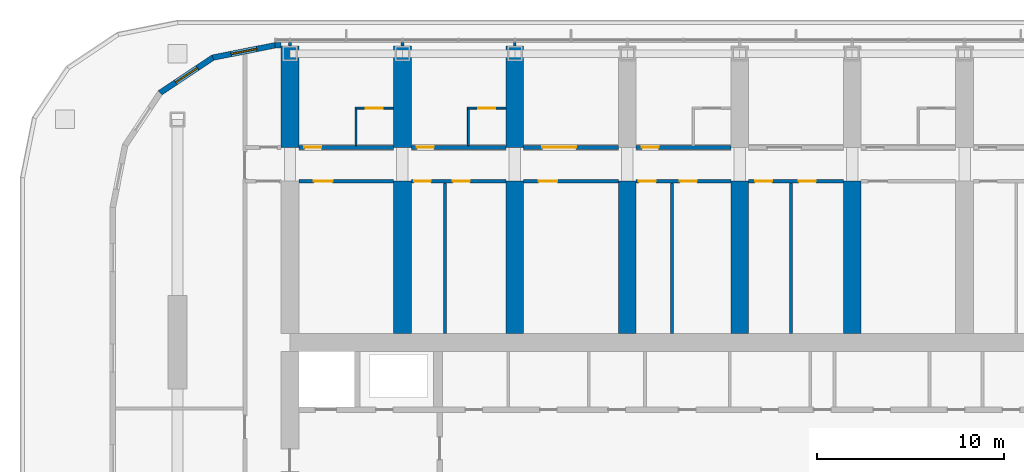
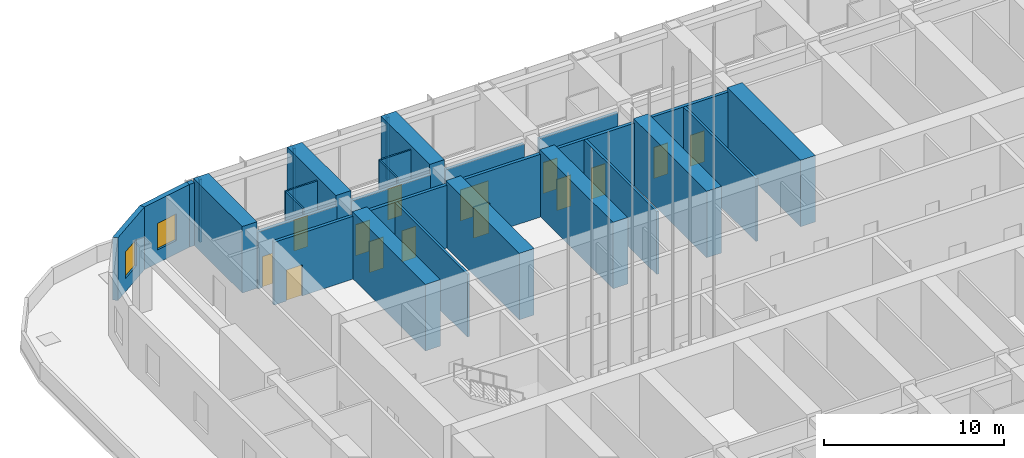
# One storey, part 15 of 32: 30 walls, 14 doors, 2 windows, 16 openings.
"""IFC4 building model written with IfcOpenShell, lengths in metres."""

from ifc_helpers import new_model, si_unit, direction, frame, frame_2d, origin, place, context, subcontext, project, spatial, polyline, rectangle, outline, extrude, material, layer, layer_set, type_object, element, fill, save


model = new_model("IFC4")

# Units and contexts
model_context = context("Model", 3, precision=1e-05, world=origin(), true_north=direction((0.0, 1.0)))
body_context = subcontext(model_context, "Body", "Model", "MODEL_VIEW")
ifc_project = project(units=[si_unit("LENGTHUNIT", "METRE"), si_unit("AREAUNIT", "SQUARE_METRE"), si_unit("VOLUMEUNIT", "CUBIC_METRE"), si_unit("PLANEANGLEUNIT", "RADIAN"), si_unit("MASSUNIT", "GRAM", prefix="KILO")], contexts=[model_context])

# Site, building, storey
site_placement = place(None, origin())
site = spatial("IfcSite", under=ifc_project, at=site_placement, CompositionType="ELEMENT")
building_placement = place(site_placement, origin())
building = spatial("IfcBuilding", under=site, at=building_placement, Name="Orbita Commons", CompositionType="ELEMENT")
storey_placement = place(building_placement, frame((0.0, 0.0, 140.35009765625)))
storey = spatial("IfcBuildingStorey", under=building, at=storey_placement, Name="L34", CompositionType="ELEMENT", Elevation=140.35009765625)

# Wall, opening, door
ifc_material_1 = material(Name="Concrete blockwork", Category="masonry")
ifc_layer_1 = layer(ifc_material_1, 0.199951171875)
ifc_layer_set_1 = layer_set([ifc_layer_1], Name="Concrete blockwork")
wall_type_1 = type_object("IfcWallType", Name="Corridor wall 200 blockwork", PredefinedType="SOLIDWALL", material=ifc_layer_set_1)
wall_1_placement = place(storey_placement, frame((18.47509765625, 48.60009765625, 0.0), z_axis=(0.0, 0.0, 1.0), x_axis=(1.0, 0.0, 0.0)))
wall_1 = element("IfcWall", 1, at=wall_1_placement, inside=storey, type_object=wall_type_1, Name="Corridor wall 200 blockwork L34", PredefinedType="SOLIDWALL", context=body_context, shape_type="SweptSolid", body=[
    extrude(outline(polyline([(0.0, 0.0), (5.0498046875, 0.0), (5.050048828125, 3.849853515625), (0.0, 3.849853515625), (0.0, 0.0)])), frame((0.0, 0.10009765625, 0.0), z_axis=(0.0, -1.0, 0.0), x_axis=(1.0, 0.0, 0.0)), (0.0, 0.0, 1.0), 0.199951171875),
])
opening_1_placement = place(wall_1_placement, frame((0.300048828125, 0.0, 0.0)))
opening_1 = element("IfcOpeningElement", 2, at=opening_1_placement, cuts=wall_1, Name="Opening D11", PredefinedType="OPENING", context=body_context, shape_type="SweptSolid", body=[
    extrude(rectangle(XDim=0.89990234375, YDim=2.10009765625, at=frame_2d((0.449951171875, 1.050048828125))), frame((0.0, 0.10986328125, 0.0), z_axis=(0.0, -1.0, 0.0), x_axis=(1.0, 0.0, 0.0)), (0.0, 0.0, 1.0), 0.219970703125),
])
ifc_material_2 = material(Name="Steel-faced fire door leaf", Category="steel")
door_type_1 = type_object("IfcDoorType", Name="Corridor door 20 min 900x2100", OperationType="SINGLE_SWING_LEFT", PredefinedType="DOOR", material=ifc_material_2)
door_1_placement = place(opening_1_placement, origin())
door_1 = element("IfcDoor", 3, at=door_1_placement, inside=storey, type_object=door_type_1, Name="Guest studio with kitchenette L34-NF1 door", OperationType="SINGLE_SWING_LEFT", OverallHeight=2.10009765625, OverallWidth=0.89990234375, PredefinedType="DOOR", context=body_context, shape_type="SweptSolid", body=[
    extrude(rectangle(XDim=0.89990234375, YDim=2.10009765625, at=frame_2d((0.449951171875, 1.050048828125))), frame((0.0, 0.02490234375, 0.0), z_axis=(0.0, -1.0, 0.0), x_axis=(1.0, 0.0, 0.0)), (0.0, 0.0, 1.0), 0.050048828125),
])
fill(opening_1, door_1)

wall_2_placement = place(storey_placement, frame((24.47509765625, 48.60009765625, 0.0), z_axis=(0.0, 0.0, 1.0), x_axis=(1.0, 0.0, 0.0)))
wall_2 = element("IfcWall", 4, at=wall_2_placement, inside=storey, type_object=wall_type_1, Name="Corridor wall 200 blockwork L34", PredefinedType="SOLIDWALL", context=body_context, shape_type="SweptSolid", body=[
    extrude(outline(polyline([(0.0, 0.0), (5.0498046875, 0.0), (5.050048828125, 3.849853515625), (0.0, 3.849853515625), (0.0, 0.0)])), frame((0.0, 0.10009765625, 0.0), z_axis=(0.0, -1.0, 0.0), x_axis=(1.0, 0.0, 0.0)), (0.0, 0.0, 1.0), 0.199951171875),
])
opening_2_placement = place(wall_2_placement, frame((0.300048828125, 0.0, 0.0)))
opening_2 = element("IfcOpeningElement", 5, at=opening_2_placement, cuts=wall_2, Name="Opening D11", PredefinedType="OPENING", context=body_context, shape_type="SweptSolid", body=[
    extrude(rectangle(XDim=0.89990234375, YDim=2.10009765625, at=frame_2d((0.449951171875, 1.050048828125))), frame((0.0, 0.10986328125, 0.0), z_axis=(0.0, -1.0, 0.0), x_axis=(1.0, 0.0, 0.0)), (0.0, 0.0, 1.0), 0.219970703125),
])
door_2_placement = place(opening_2_placement, origin())
door_2 = element("IfcDoor", 6, at=door_2_placement, inside=storey, type_object=door_type_1, Name="Guest studio with kitchenette L34-NF2 door", OperationType="SINGLE_SWING_LEFT", OverallHeight=2.10009765625, OverallWidth=0.89990234375, PredefinedType="DOOR", context=body_context, shape_type="SweptSolid", body=[
    extrude(rectangle(XDim=0.89990234375, YDim=2.10009765625, at=frame_2d((0.449951171875, 1.050048828125))), frame((0.0, 0.02490234375, 0.0), z_axis=(0.0, -1.0, 0.0), x_axis=(1.0, 0.0, 0.0)), (0.0, 0.0, 1.0), 0.050048828125),
])
fill(opening_2, door_2)

wall_3_placement = place(storey_placement, frame((30.47509765625, 48.60009765625, 0.0), z_axis=(0.0, 0.0, 1.0), x_axis=(1.0, 0.0, 0.0)))
wall_3 = element("IfcWall", 7, at=wall_3_placement, inside=storey, type_object=wall_type_1, Name="Corridor wall 200 blockwork L34", PredefinedType="SOLIDWALL", context=body_context, shape_type="SweptSolid", body=[
    extrude(outline(polyline([(0.0, 0.0), (5.0498046875, 0.0), (5.050048828125, 3.849853515625), (0.0, 3.849853515625), (0.0, 0.0)])), frame((0.0, 0.10009765625, 0.0), z_axis=(0.0, -1.0, 0.0), x_axis=(1.0, 0.0, 0.0)), (0.0, 0.0, 1.0), 0.199951171875),
])
opening_3_placement = place(wall_3_placement, frame((1.0, 0.0, 0.0)))
opening_3 = element("IfcOpeningElement", 8, at=opening_3_placement, cuts=wall_3, Name="Opening D07", PredefinedType="OPENING", context=body_context, shape_type="SweptSolid", body=[
    extrude(rectangle(XDim=1.800048828125, YDim=2.10009765625, at=frame_2d((0.89990234375, 1.050048828125))), frame((0.0, 0.10986328125, 0.0), z_axis=(0.0, -1.0, 0.0), x_axis=(1.0, 0.0, 0.0)), (0.0, 0.0, 1.0), 0.219970703125),
])
ifc_material_3 = material(Name="Steel-faced fire door leaf", Category="steel")
door_type_2 = type_object("IfcDoorType", Name="Double corridor door 20 min 1800x2100", OperationType="DOUBLE_DOOR_SINGLE_SWING", PredefinedType="DOOR", material=ifc_material_3)
door_3_placement = place(opening_3_placement, origin())
door_3 = element("IfcDoor", 9, at=door_3_placement, inside=storey, type_object=door_type_2, Name="Guest reception office L34-NF3 doors", OperationType="DOUBLE_DOOR_SINGLE_SWING", OverallHeight=2.10009765625, OverallWidth=1.800048828125, PredefinedType="DOOR", context=body_context, shape_type="SweptSolid", body=[
    extrude(rectangle(XDim=1.800048828125, YDim=2.10009765625, at=frame_2d((0.89990234375, 1.050048828125))), frame((0.0, 0.02490234375, 0.0), z_axis=(0.0, -1.0, 0.0), x_axis=(1.0, 0.0, 0.0)), (0.0, 0.0, 1.0), 0.050048828125),
])
fill(opening_3, door_3)

wall_4_placement = place(storey_placement, frame((36.47509765625, 48.60009765625, 0.0), z_axis=(0.0, 0.0, 1.0), x_axis=(1.0, 0.0, 0.0)))
wall_4 = element("IfcWall", 10, at=wall_4_placement, inside=storey, type_object=wall_type_1, Name="Corridor wall 200 blockwork L34", PredefinedType="SOLIDWALL", context=body_context, shape_type="SweptSolid", body=[
    extrude(outline(polyline([(0.0, 0.0), (5.0498046875, 0.0), (5.050048828125, 3.849853515625), (0.0, 3.849853515625), (0.0, 0.0)])), frame((0.0, 0.10009765625, 0.0), z_axis=(0.0, -1.0, 0.0), x_axis=(1.0, 0.0, 0.0)), (0.0, 0.0, 1.0), 0.199951171875),
])
opening_4_placement = place(wall_4_placement, frame((0.300048828125, 0.0, 0.0)))
opening_4 = element("IfcOpeningElement", 11, at=opening_4_placement, cuts=wall_4, Name="Opening D11", PredefinedType="OPENING", context=body_context, shape_type="SweptSolid", body=[
    extrude(rectangle(XDim=0.89990234375, YDim=2.10009765625, at=frame_2d((0.449951171875, 1.050048828125))), frame((0.0, 0.10986328125, 0.0), z_axis=(0.0, -1.0, 0.0), x_axis=(1.0, 0.0, 0.0)), (0.0, 0.0, 1.0), 0.219970703125),
])
door_4_placement = place(opening_4_placement, origin())
door_4 = element("IfcDoor", 12, at=door_4_placement, inside=storey, type_object=door_type_1, Name="Guest studio with kitchenette L34-NF4 door", OperationType="SINGLE_SWING_LEFT", OverallHeight=2.10009765625, OverallWidth=0.89990234375, PredefinedType="DOOR", context=body_context, shape_type="SweptSolid", body=[
    extrude(rectangle(XDim=0.89990234375, YDim=2.10009765625, at=frame_2d((0.449951171875, 1.050048828125))), frame((0.0, 0.02490234375, 0.0), z_axis=(0.0, -1.0, 0.0), x_axis=(1.0, 0.0, 0.0)), (0.0, 0.0, 1.0), 0.050048828125),
])
fill(opening_4, door_4)

ifc_material_4 = material(Name="Hollow concrete block 200", Category="concrete")
ifc_layer_2 = layer(ifc_material_4, 0.199951171875)
ifc_layer_set_2 = layer_set([ifc_layer_2], Name="Hollow concrete block 200")
wall_type_2 = type_object("IfcWallType", Name="Corridor wall 200 hollow concrete block", PredefinedType="SOLIDWALL", material=ifc_layer_set_2)
wall_5_placement = place(storey_placement, frame((18.47509765625, 46.800048828125, 0.0), z_axis=(0.0, 0.0, 1.0), x_axis=(1.0, 0.0, 0.0)))
wall_5 = element("IfcWall", 13, at=wall_5_placement, inside=storey, type_object=wall_type_2, Name="Corridor wall 200 hollow concrete block L34", PredefinedType="SOLIDWALL", context=body_context, shape_type="SweptSolid", body=[
    extrude(rectangle(XDim=5.0498046875, YDim=0.199951171875, at=frame_2d((2.52490234375, 0.0))), origin(), (0.0, 0.0, 1.0), 4.25),
])
opening_5_placement = place(wall_5_placement, frame((0.800048828125, 0.0, 0.0)))
opening_5 = element("IfcOpeningElement", 14, at=opening_5_placement, cuts=wall_5, Name="Opening D06", PredefinedType="OPENING", context=body_context, shape_type="SweptSolid", body=[
    extrude(rectangle(XDim=1.0, YDim=2.10009765625, at=frame_2d((0.5, 1.050048828125))), frame((0.0, 0.10986328125, 0.0), z_axis=(0.0, -1.0, 0.0), x_axis=(1.0, 0.0, 0.0)), (0.0, 0.0, 1.0), 0.219970703125),
])
ifc_material_5 = material(Name="Steel-faced fire door leaf", Category="steel")
door_type_3 = type_object("IfcDoorType", Name="Corridor door 20 min 1000x2100", OperationType="SINGLE_SWING_LEFT", PredefinedType="DOOR", material=ifc_material_5)
door_5_placement = place(opening_5_placement, origin())
door_5 = element("IfcDoor", 15, at=door_5_placement, inside=storey, type_object=door_type_3, Name="Telecoms room L34-BDN18 door", OperationType="SINGLE_SWING_LEFT", OverallHeight=2.10009765625, OverallWidth=1.0, PredefinedType="DOOR", context=body_context, shape_type="SweptSolid", body=[
    extrude(rectangle(XDim=1.0, YDim=2.10009765625, at=frame_2d((0.5, 1.050048828125))), frame((0.0, 0.02490234375, 0.0), z_axis=(0.0, -1.0, 0.0), x_axis=(1.0, 0.0, 0.0)), (0.0, 0.0, 1.0), 0.050048828125),
])
fill(opening_5, door_5)

# Wall, openings, doors
wall_6_placement = place(storey_placement, frame((24.47509765625, 46.800048828125, 0.0), z_axis=(0.0, 0.0, 1.0), x_axis=(1.0, 0.0, 0.0)))
wall_6 = element("IfcWall", 16, at=wall_6_placement, inside=storey, type_object=wall_type_2, Name="Corridor wall 200 hollow concrete block L34", PredefinedType="SOLIDWALL", context=body_context, shape_type="SweptSolid", body=[
    extrude(rectangle(XDim=5.0498046875, YDim=0.199951171875, at=frame_2d((2.52490234375, 0.0))), origin(), (0.0, 0.0, 1.0), 4.25),
])
opening_6_placement = place(wall_6_placement, frame((0.14990234375, 0.0, 0.0)))
opening_6 = element("IfcOpeningElement", 17, at=opening_6_placement, cuts=wall_6, Name="Opening D11", PredefinedType="OPENING", context=body_context, shape_type="SweptSolid", body=[
    extrude(rectangle(XDim=0.89990234375, YDim=2.10009765625, at=frame_2d((0.449951171875, 1.050048828125))), frame((0.0, 0.10986328125, 0.0), z_axis=(0.0, -1.0, 0.0), x_axis=(1.0, 0.0, 0.0)), (0.0, 0.0, 1.0), 0.219970703125),
])
opening_7_placement = place(wall_6_placement, frame((2.22509765625, 0.0, 0.0)))
opening_7 = element("IfcOpeningElement", 18, at=opening_7_placement, cuts=wall_6, Name="Opening D11", PredefinedType="OPENING", context=body_context, shape_type="SweptSolid", body=[
    extrude(rectangle(XDim=0.89990234375, YDim=2.10009765625, at=frame_2d((0.449951171875, 1.050048828125))), frame((0.0, 0.10986328125, 0.0), z_axis=(0.0, -1.0, 0.0), x_axis=(1.0, 0.0, 0.0)), (0.0, 0.0, 1.0), 0.219970703125),
])
door_6_placement = place(opening_6_placement, origin())
door_6 = element("IfcDoor", 19, at=door_6_placement, inside=storey, type_object=door_type_1, Name="Equipment store L34-BDN24n door", OperationType="SINGLE_SWING_LEFT", OverallHeight=2.10009765625, OverallWidth=0.89990234375, PredefinedType="DOOR", context=body_context, shape_type="SweptSolid", body=[
    extrude(rectangle(XDim=0.89990234375, YDim=2.10009765625, at=frame_2d((0.449951171875, 1.050048828125))), frame((0.0, 0.02490234375, 0.0), z_axis=(0.0, -1.0, 0.0), x_axis=(1.0, 0.0, 0.0)), (0.0, 0.0, 1.0), 0.050048828125),
])
fill(opening_6, door_6)
door_7_placement = place(opening_7_placement, origin())
door_7 = element("IfcDoor", 20, at=door_7_placement, inside=storey, type_object=door_type_1, Name="Guest luggage store L34-BDN24 door", OperationType="SINGLE_SWING_LEFT", OverallHeight=2.10009765625, OverallWidth=0.89990234375, PredefinedType="DOOR", context=body_context, shape_type="SweptSolid", body=[
    extrude(rectangle(XDim=0.89990234375, YDim=2.10009765625, at=frame_2d((0.449951171875, 1.050048828125))), frame((0.0, 0.02490234375, 0.0), z_axis=(0.0, -1.0, 0.0), x_axis=(1.0, 0.0, 0.0)), (0.0, 0.0, 1.0), 0.050048828125),
])
fill(opening_7, door_7)

# Wall, opening, door
wall_7_placement = place(storey_placement, frame((30.47509765625, 46.800048828125, 0.0), z_axis=(0.0, 0.0, 1.0), x_axis=(1.0, 0.0, 0.0)))
wall_7 = element("IfcWall", 21, at=wall_7_placement, inside=storey, type_object=wall_type_2, Name="Corridor wall 200 hollow concrete block L34", PredefinedType="SOLIDWALL", context=body_context, shape_type="SweptSolid", body=[
    extrude(rectangle(XDim=5.0498046875, YDim=0.199951171875, at=frame_2d((2.52490234375, 0.0))), origin(), (0.0, 0.0, 1.0), 4.25),
])
opening_8_placement = place(wall_7_placement, frame((0.800048828125, 0.0, 0.0)))
opening_8 = element("IfcOpeningElement", 22, at=opening_8_placement, cuts=wall_7, Name="Opening D06", PredefinedType="OPENING", context=body_context, shape_type="SweptSolid", body=[
    extrude(rectangle(XDim=1.0, YDim=2.10009765625, at=frame_2d((0.5, 1.050048828125))), frame((0.0, 0.10986328125, 0.0), z_axis=(0.0, -1.0, 0.0), x_axis=(1.0, 0.0, 0.0)), (0.0, 0.0, 1.0), 0.219970703125),
])
door_8_placement = place(opening_8_placement, origin())
door_8 = element("IfcDoor", 23, at=door_8_placement, inside=storey, type_object=door_type_3, Name="Book store L34-BDN30 door", OperationType="SINGLE_SWING_LEFT", OverallHeight=2.10009765625, OverallWidth=1.0, PredefinedType="DOOR", context=body_context, shape_type="SweptSolid", body=[
    extrude(rectangle(XDim=1.0, YDim=2.10009765625, at=frame_2d((0.5, 1.050048828125))), frame((0.0, 0.02490234375, 0.0), z_axis=(0.0, -1.0, 0.0), x_axis=(1.0, 0.0, 0.0)), (0.0, 0.0, 1.0), 0.050048828125),
])
fill(opening_8, door_8)

# Wall, openings, doors
wall_8_placement = place(storey_placement, frame((36.47509765625, 46.800048828125, 0.0), z_axis=(0.0, 0.0, 1.0), x_axis=(1.0, 0.0, 0.0)))
wall_8 = element("IfcWall", 24, at=wall_8_placement, inside=storey, type_object=wall_type_2, Name="Corridor wall 200 hollow concrete block L34", PredefinedType="SOLIDWALL", context=body_context, shape_type="SweptSolid", body=[
    extrude(rectangle(XDim=5.0498046875, YDim=0.199951171875, at=frame_2d((2.52490234375, 0.0))), origin(), (0.0, 0.0, 1.0), 4.25),
])
opening_9_placement = place(wall_8_placement, frame((0.14990234375, 0.0, 0.0)))
opening_9 = element("IfcOpeningElement", 25, at=opening_9_placement, cuts=wall_8, Name="Opening D11", PredefinedType="OPENING", context=body_context, shape_type="SweptSolid", body=[
    extrude(rectangle(XDim=0.89990234375, YDim=2.10009765625, at=frame_2d((0.449951171875, 1.050048828125))), frame((0.0, 0.10986328125, 0.0), z_axis=(0.0, -1.0, 0.0), x_axis=(1.0, 0.0, 0.0)), (0.0, 0.0, 1.0), 0.219970703125),
])
opening_10_placement = place(wall_8_placement, frame((2.3349609375, 0.0, 0.0)))
opening_10 = element("IfcOpeningElement", 26, at=opening_10_placement, cuts=wall_8, Name="Opening D11", PredefinedType="OPENING", context=body_context, shape_type="SweptSolid", body=[
    extrude(rectangle(XDim=0.89990234375, YDim=2.10009765625, at=frame_2d((0.449951171875, 1.050048828125))), frame((0.0, 0.10986328125, 0.0), z_axis=(0.0, -1.0, 0.0), x_axis=(1.0, 0.0, 0.0)), (0.0, 0.0, 1.0), 0.219970703125),
])
door_9_placement = place(opening_9_placement, origin())
door_9 = element("IfcDoor", 27, at=door_9_placement, inside=storey, type_object=door_type_1, Name="Battery and UPS room L34-BDN36n door", OperationType="SINGLE_SWING_LEFT", OverallHeight=2.10009765625, OverallWidth=0.89990234375, PredefinedType="DOOR", context=body_context, shape_type="SweptSolid", body=[
    extrude(rectangle(XDim=0.89990234375, YDim=2.10009765625, at=frame_2d((0.449951171875, 1.050048828125))), frame((0.0, 0.02490234375, 0.0), z_axis=(0.0, -1.0, 0.0), x_axis=(1.0, 0.0, 0.0)), (0.0, 0.0, 1.0), 0.050048828125),
])
fill(opening_9, door_9)
door_10_placement = place(opening_10_placement, origin())
door_10 = element("IfcDoor", 28, at=door_10_placement, inside=storey, type_object=door_type_1, Name="Refuse and recycling room L34-BDN36 door", OperationType="SINGLE_SWING_LEFT", OverallHeight=2.10009765625, OverallWidth=0.89990234375, PredefinedType="DOOR", context=body_context, shape_type="SweptSolid", body=[
    extrude(rectangle(XDim=0.89990234375, YDim=2.10009765625, at=frame_2d((0.449951171875, 1.050048828125))), frame((0.0, 0.02490234375, 0.0), z_axis=(0.0, -1.0, 0.0), x_axis=(1.0, 0.0, 0.0)), (0.0, 0.0, 1.0), 0.050048828125),
])
fill(opening_10, door_10)

wall_9_placement = place(storey_placement, frame((42.47509765625, 46.800048828125, 0.0), z_axis=(0.0, 0.0, 1.0), x_axis=(1.0, 0.0, 0.0)))
wall_9 = element("IfcWall", 29, at=wall_9_placement, inside=storey, type_object=wall_type_2, Name="Corridor wall 200 hollow concrete block L34", PredefinedType="SOLIDWALL", context=body_context, shape_type="SweptSolid", body=[
    extrude(rectangle(XDim=5.0498046875, YDim=0.199951171875, at=frame_2d((2.52490234375, 0.0))), origin(), (0.0, 0.0, 1.0), 4.25),
])
opening_11_placement = place(wall_9_placement, frame((0.35009765625, 0.0, 0.0)))
opening_11 = element("IfcOpeningElement", 30, at=opening_11_placement, cuts=wall_9, Name="Opening D11", PredefinedType="OPENING", context=body_context, shape_type="SweptSolid", body=[
    extrude(rectangle(XDim=0.89990234375, YDim=2.10009765625, at=frame_2d((0.449951171875, 1.050048828125))), frame((0.0, 0.10986328125, 0.0), z_axis=(0.0, -1.0, 0.0), x_axis=(1.0, 0.0, 0.0)), (0.0, 0.0, 1.0), 0.219970703125),
])
opening_12_placement = place(wall_9_placement, frame((2.68505859375, 0.0, 0.0)))
opening_12 = element("IfcOpeningElement", 31, at=opening_12_placement, cuts=wall_9, Name="Opening D11", PredefinedType="OPENING", context=body_context, shape_type="SweptSolid", body=[
    extrude(rectangle(XDim=0.89990234375, YDim=2.10009765625, at=frame_2d((0.449951171875, 1.050048828125))), frame((0.0, 0.10986328125, 0.0), z_axis=(0.0, -1.0, 0.0), x_axis=(1.0, 0.0, 0.0)), (0.0, 0.0, 1.0), 0.219970703125),
])
door_11_placement = place(opening_11_placement, origin())
door_11 = element("IfcDoor", 32, at=door_11_placement, inside=storey, type_object=door_type_1, Name="Sprinkler valve room L34-BDN42n door", OperationType="SINGLE_SWING_LEFT", OverallHeight=2.10009765625, OverallWidth=0.89990234375, PredefinedType="DOOR", context=body_context, shape_type="SweptSolid", body=[
    extrude(rectangle(XDim=0.89990234375, YDim=2.10009765625, at=frame_2d((0.449951171875, 1.050048828125))), frame((0.0, 0.02490234375, 0.0), z_axis=(0.0, -1.0, 0.0), x_axis=(1.0, 0.0, 0.0)), (0.0, 0.0, 1.0), 0.050048828125),
])
fill(opening_11, door_11)
door_12_placement = place(opening_12_placement, origin())
door_12 = element("IfcDoor", 33, at=door_12_placement, inside=storey, type_object=door_type_1, Name="Ventilation plant room L34-BDN42 door", OperationType="SINGLE_SWING_LEFT", OverallHeight=2.10009765625, OverallWidth=0.89990234375, PredefinedType="DOOR", context=body_context, shape_type="SweptSolid", body=[
    extrude(rectangle(XDim=0.89990234375, YDim=2.10009765625, at=frame_2d((0.449951171875, 1.050048828125))), frame((0.0, 0.02490234375, 0.0), z_axis=(0.0, -1.0, 0.0), x_axis=(1.0, 0.0, 0.0)), (0.0, 0.0, 1.0), 0.050048828125),
])
fill(opening_12, door_12)

# Walls
ifc_material_6 = material(Name="Concrete C50/60", Category="concrete")
ifc_layer_3 = layer(ifc_material_6, 0.949951171875)
ifc_layer_set_3 = layer_set([ifc_layer_3], Name="Concrete C50/60")
wall_type_3 = type_object("IfcWallType", Name="Cross wall 950 C50/60", PredefinedType="SHEAR", material=ifc_layer_set_3)
for number, where, z_axis, x_axis, name in (
    (34, (18.0, 48.60009765625, 0.0), (0.0, 0.0, 1.0), (0.0, 1.0, 0.0), "Cross wall 4 north outer L34"),
    (35, (24.0, 48.60009765625, 0.0), (0.0, 0.0, 1.0), (0.0, 1.0, 0.0), "Cross wall 5 north outer L34"),
):
    element("IfcWall", number, at=place(storey_placement, frame(where, z_axis=z_axis, x_axis=x_axis)), inside=storey, type_object=wall_type_3, Name=name, PredefinedType="SHEAR", context=body_context, shape_type="SweptSolid", body=[
        extrude(rectangle(XDim=5.39990234375, YDim=0.949951171875, at=frame_2d((2.699951171875, 0.0))), origin(), (0.0, 0.0, 1.0), 4.5),
    ])
wall_10_placement = place(storey_placement, frame((24.0, 38.675048828125, 0.0), z_axis=(0.0, 0.0, 1.0), x_axis=(0.0, 1.0, 0.0)))
element("IfcWall", 36, at=wall_10_placement, inside=storey, type_object=wall_type_3, Name="Cross wall 5 north inner L34", PredefinedType="SHEAR", context=body_context, shape_type="SweptSolid", body=[
    extrude(rectangle(XDim=8.125, YDim=0.949951171875, at=frame_2d((4.0625, 0.0))), origin(), (0.0, 0.0, 1.0), 4.5),
])
wall_11_placement = place(storey_placement, frame((30.0, 48.60009765625, 0.0), z_axis=(0.0, 0.0, 1.0), x_axis=(0.0, 1.0, 0.0)))
element("IfcWall", 37, at=wall_11_placement, inside=storey, type_object=wall_type_3, Name="Cross wall 6 north outer L34", PredefinedType="SHEAR", context=body_context, shape_type="SweptSolid", body=[
    extrude(rectangle(XDim=5.39990234375, YDim=0.949951171875, at=frame_2d((2.699951171875, 0.0))), origin(), (0.0, 0.0, 1.0), 4.5),
])
for number, where, z_axis, x_axis, name in (
    (38, (30.0, 38.675048828125, 0.0), (0.0, 0.0, 1.0), (0.0, 1.0, 0.0), "Cross wall 6 north inner L34"),
    (39, (36.0, 38.675048828125, 0.0), (0.0, 0.0, 1.0), (0.0, 1.0, 0.0), "Cross wall 7 north inner L34"),
    (40, (42.0, 38.675048828125, 0.0), (0.0, 0.0, 1.0), (0.0, 1.0, 0.0), "Cross wall 8 north inner L34"),
    (41, (48.0, 38.675048828125, 0.0), (0.0, 0.0, 1.0), (0.0, 1.0, 0.0), "Cross wall 9 north inner L34"),
):
    element("IfcWall", number, at=place(storey_placement, frame(where, z_axis=z_axis, x_axis=x_axis)), inside=storey, type_object=wall_type_3, Name=name, PredefinedType="SHEAR", context=body_context, shape_type="SweptSolid", body=[
        extrude(rectangle(XDim=8.125, YDim=0.949951171875, at=frame_2d((4.0625, 0.0))), origin(), (0.0, 0.0, 1.0), 4.5),
    ])

# Wall, opening, door
ifc_material_7 = material(Name="Moisture-resistant plasterboard on steel studs", Category="steel")
ifc_layer_4 = layer(ifc_material_7, 0.10009765625)
ifc_layer_set_4 = layer_set([ifc_layer_4], Name="Moisture-resistant plasterboard on steel studs")
wall_type_4 = type_object("IfcWallType", Name="En-suite partition 100", PredefinedType="PARTITIONING", material=ifc_layer_set_4)
wall_12_placement = place(storey_placement, frame((21.47509765625, 50.699951171875, 0.0), z_axis=(0.0, 0.0, 1.0), x_axis=(1.0, 0.0, 0.0)))
wall_12 = element("IfcWall", 42, at=wall_12_placement, inside=storey, type_object=wall_type_4, Name="En-suite partition 100 L34", PredefinedType="PARTITIONING", context=body_context, shape_type="SweptSolid", body=[
    extrude(rectangle(XDim=2.0498046875, YDim=0.10009765625, at=frame_2d((1.02490234375, 0.0))), origin(), (0.0, 0.0, 1.0), 4.25),
])
opening_13_placement = place(wall_12_placement, frame((0.574951171875, 0.0, 0.0)))
opening_13 = element("IfcOpeningElement", 43, at=opening_13_placement, cuts=wall_12, Name="Opening D09", PredefinedType="OPENING", context=body_context, shape_type="SweptSolid", body=[
    extrude(rectangle(XDim=0.89990234375, YDim=2.10009765625, at=frame_2d((0.449951171875, 1.050048828125))), frame((0.0, 0.06005859375, 0.0), z_axis=(0.0, -1.0, 0.0), x_axis=(1.0, 0.0, 0.0)), (0.0, 0.0, 1.0), 0.1201171875),
])
ifc_material_8 = material(Name="Laminated timber door leaf", Category="wood")
door_type_4 = type_object("IfcDoorType", Name="En-suite door 900x2100", OperationType="SINGLE_SWING_RIGHT", PredefinedType="DOOR", material=ifc_material_8)
door_13_placement = place(opening_13_placement, origin())
door_13 = element("IfcDoor", 44, at=door_13_placement, inside=storey, type_object=door_type_4, Name="En-suite L34-NF1 door", OperationType="SINGLE_SWING_RIGHT", OverallHeight=2.10009765625, OverallWidth=0.89990234375, PredefinedType="DOOR", context=body_context, shape_type="SweptSolid", body=[
    extrude(rectangle(XDim=0.89990234375, YDim=2.10009765625, at=frame_2d((0.449951171875, 1.050048828125))), frame((0.0, 0.02490234375, 0.0), z_axis=(0.0, -1.0, 0.0), x_axis=(1.0, 0.0, 0.0)), (0.0, 0.0, 1.0), 0.050048828125),
])
fill(opening_13, door_13)

# Wall
wall_13_placement = place(storey_placement, frame((21.52490234375, 50.64990234375, 0.0), z_axis=(0.0, 0.0, 1.0), x_axis=(0.0, -1.0, 0.0)))
element("IfcWall", 45, at=wall_13_placement, inside=storey, type_object=wall_type_4, Name="En-suite partition 100 L34", PredefinedType="PARTITIONING", context=body_context, shape_type="SweptSolid", body=[
    extrude(outline(polyline([(0.0, 0.0), (1.949951171875, 0.0), (1.949951171875, 3.849853515625), (1.902099609375, 3.849853515625), (1.89990234375, 4.25), (0.0, 4.25), (0.0, 0.0)])), frame((0.0, 0.050048828125, 0.0), z_axis=(0.0, -1.0, 0.0), x_axis=(1.0, 0.0, 0.0)), (0.0, 0.0, 1.0), 0.10009765625),
])

# Wall, opening, door
wall_14_placement = place(storey_placement, frame((27.47509765625, 50.699951171875, 0.0), z_axis=(0.0, 0.0, 1.0), x_axis=(1.0, 0.0, 0.0)))
wall_14 = element("IfcWall", 46, at=wall_14_placement, inside=storey, type_object=wall_type_4, Name="En-suite partition 100 L34", PredefinedType="PARTITIONING", context=body_context, shape_type="SweptSolid", body=[
    extrude(rectangle(XDim=2.0498046875, YDim=0.10009765625, at=frame_2d((1.02490234375, 0.0))), origin(), (0.0, 0.0, 1.0), 4.25),
])
opening_14_placement = place(wall_14_placement, frame((0.574951171875, 0.0, 0.0)))
opening_14 = element("IfcOpeningElement", 47, at=opening_14_placement, cuts=wall_14, Name="Opening D09", PredefinedType="OPENING", context=body_context, shape_type="SweptSolid", body=[
    extrude(rectangle(XDim=0.89990234375, YDim=2.10009765625, at=frame_2d((0.449951171875, 1.050048828125))), frame((0.0, 0.06005859375, 0.0), z_axis=(0.0, -1.0, 0.0), x_axis=(1.0, 0.0, 0.0)), (0.0, 0.0, 1.0), 0.1201171875),
])
door_14_placement = place(opening_14_placement, origin())
door_14 = element("IfcDoor", 48, at=door_14_placement, inside=storey, type_object=door_type_4, Name="En-suite L34-NF2 door", OperationType="SINGLE_SWING_RIGHT", OverallHeight=2.10009765625, OverallWidth=0.89990234375, PredefinedType="DOOR", context=body_context, shape_type="SweptSolid", body=[
    extrude(rectangle(XDim=0.89990234375, YDim=2.10009765625, at=frame_2d((0.449951171875, 1.050048828125))), frame((0.0, 0.02490234375, 0.0), z_axis=(0.0, -1.0, 0.0), x_axis=(1.0, 0.0, 0.0)), (0.0, 0.0, 1.0), 0.050048828125),
])
fill(opening_14, door_14)

# Walls
wall_15_placement = place(storey_placement, frame((27.52490234375, 50.64990234375, 0.0), z_axis=(0.0, 0.0, 1.0), x_axis=(0.0, -1.0, 0.0)))
element("IfcWall", 49, at=wall_15_placement, inside=storey, type_object=wall_type_4, Name="En-suite partition 100 L34", PredefinedType="PARTITIONING", context=body_context, shape_type="SweptSolid", body=[
    extrude(outline(polyline([(0.0, 0.0), (1.949951171875, 0.0), (1.949951171875, 3.849853515625), (1.902099609375, 3.849853515625), (1.89990234375, 4.25), (0.0, 4.25), (0.0, 0.0)])), frame((0.0, 0.050048828125, 0.0), z_axis=(0.0, -1.0, 0.0), x_axis=(1.0, 0.0, 0.0)), (0.0, 0.0, 1.0), 0.10009765625),
])
ifc_material_9 = material(Name="Gypsum plasterboard on steel studs", Category="steel")
ifc_layer_5 = layer(ifc_material_9, 0.14990234375)
ifc_layer_set_5 = layer_set([ifc_layer_5], Name="Gypsum plasterboard on steel studs")
wall_type_5 = type_object("IfcWallType", Name="Partition 150 plasterboard", PredefinedType="PARTITIONING", material=ifc_layer_set_5)
for number, where, z_axis, x_axis, name in (
    (50, (26.27490234375, 38.675048828125, 0.0), (0.0, 0.0, 1.0), (0.0, 1.0, 0.0), "Partition 150 plasterboard L34"),
    (51, (38.385009765625, 38.675048828125, 0.0), (0.0, 0.0, 1.0), (0.0, 1.0, 0.0), "Partition 150 plasterboard L34"),
    (52, (44.735107421875, 38.675048828125, 0.0), (0.0, 0.0, 1.0), (0.0, 1.0, 0.0), "Partition 150 plasterboard L34"),
):
    element("IfcWall", number, at=place(storey_placement, frame(where, z_axis=z_axis, x_axis=x_axis)), inside=storey, type_object=wall_type_5, Name=name, PredefinedType="PARTITIONING", context=body_context, shape_type="SweptSolid", body=[
        extrude(rectangle(XDim=8.02490234375, YDim=0.14990234375, at=frame_2d((4.012451171875, 0.0))), origin(), (0.0, 0.0, 1.0), 4.25),
    ])
for number, where, z_axis, x_axis, name in (
    (53, (18.0, 54.0, 0.0), (0.0, 0.0, 1.0), (0.0, 1.0, 0.0), "Partition 150 plasterboard L34"),
    (54, (24.0, 54.0, 0.0), (0.0, 0.0, 1.0), (0.0, 1.0, 0.0), "Partition 150 plasterboard L34"),
    (55, (30.0, 54.0, 0.0), (0.0, 0.0, 1.0), (0.0, 1.0, 0.0), "Partition 150 plasterboard L34"),
):
    element("IfcWall", number, at=place(storey_placement, frame(where, z_axis=z_axis, x_axis=x_axis)), inside=storey, type_object=wall_type_5, Name=name, PredefinedType="PARTITIONING", context=body_context, shape_type="SweptSolid", body=[
        extrude(rectangle(XDim=0.18994140625, YDim=0.14990234375, at=frame_2d((0.094970703125, 0.0))), origin(), (0.0, 0.0, 1.0), 4.25),
    ])

# Wall, opening, window
ifc_material_10 = material(Name="Precast concrete C40/50, white board-marked finish", Category="concrete")
ifc_layer_6 = layer(ifc_material_10, 0.300048828125)
ifc_layer_set_6 = layer_set([ifc_layer_6], Name="Precast concrete C40/50, white board-marked finish")
wall_type_6 = type_object("IfcWallType", Name="Precast concrete end shield 300", PredefinedType="SOLIDWALL", material=ifc_layer_set_6)
wall_16_placement = place(storey_placement, frame((17.199951171875, 54.050048828125, 0.0), z_axis=(0.0, 0.0, 1.0), x_axis=(-0.98078325777, -0.195100490205, 0.0)))
wall_16 = element("IfcWall", 56, at=wall_16_placement, inside=storey, type_object=wall_type_6, Name="End shield NW chord 1 L34", PredefinedType="SOLIDWALL", context=body_context, shape_type="SweptSolid", body=[
    extrude(outline(polyline([(-0.02978515625, -0.14990234375), (3.40478515625, -0.14990234375), (3.34521484375, 0.14990234375), (0.02978515625, 0.14990234375), (-0.02978515625, -0.14990234375)])), origin(), (0.0, 0.0, 1.0), 4.25),
])
opening_15_placement = place(wall_16_placement, frame((0.987548828125, 0.0, 0.89990234375)))
opening_15 = element("IfcOpeningElement", 57, at=opening_15_placement, cuts=wall_16, Name="Opening W02", PredefinedType="OPENING", context=body_context, shape_type="SweptSolid", body=[
    extrude(rectangle(XDim=1.39990234375, YDim=1.800048828125, at=frame_2d((0.699951171875, 0.89990234375))), frame((0.0, 0.159912109375, 0.0), z_axis=(0.0, -1.0, 0.0), x_axis=(1.0, 0.0, 0.0)), (0.0, 0.0, 1.0), 0.320068359375),
])
ifc_material_11 = material(Name="Aluminium frame, clear double glazing", Category="aluminium")
window_type = type_object("IfcWindowType", Name="Deep-set window 1400x1800", PartitioningType="SINGLE_PANEL", PredefinedType="WINDOW", material=ifc_material_11)
window_1_placement = place(opening_15_placement, origin())
window_1 = element("IfcWindow", 58, at=window_1_placement, inside=storey, type_object=window_type, Name="Window L34-NW0", OverallHeight=1.800048828125, OverallWidth=1.39990234375, PartitioningType="SINGLE_PANEL", PredefinedType="WINDOW", context=body_context, shape_type="SweptSolid", body=[
    extrude(rectangle(XDim=1.39990234375, YDim=1.800048828125, at=frame_2d((0.699951171875, 0.89990234375))), frame((0.0, 0.030029296875, 0.0), z_axis=(0.0, -1.0, 0.0), x_axis=(1.0, 0.0, 0.0)), (0.0, 0.0, 1.0), 0.06005859375),
])
fill(opening_15, window_1)

wall_17_placement = place(storey_placement, frame((13.889892578125, 53.3916015625, 0.0), z_axis=(0.0, 0.0, 1.0), x_axis=(-0.831493450887, -0.555534554399, 0.0)))
wall_17 = element("IfcWall", 59, at=wall_17_placement, inside=storey, type_object=wall_type_6, Name="End shield NW chord 2 L34", PredefinedType="SOLIDWALL", context=body_context, shape_type="SweptSolid", body=[
    extrude(outline(polyline([(-0.02978515625, -0.14990234375), (3.405029296875, -0.14990234375), (3.345458984375, 0.14990234375), (0.02978515625, 0.14990234375), (-0.02978515625, -0.14990234375)])), origin(), (0.0, 0.0, 1.0), 4.25),
])
opening_16_placement = place(wall_17_placement, frame((0.987548828125, 0.0, 0.89990234375)))
opening_16 = element("IfcOpeningElement", 60, at=opening_16_placement, cuts=wall_17, Name="Opening W02", PredefinedType="OPENING", context=body_context, shape_type="SweptSolid", body=[
    extrude(rectangle(XDim=1.39990234375, YDim=1.800048828125, at=frame_2d((0.699951171875, 0.89990234375))), frame((0.0, 0.159912109375, 0.0), z_axis=(0.0, -1.0, 0.0), x_axis=(1.0, 0.0, 0.0)), (0.0, 0.0, 1.0), 0.320068359375),
])
window_2_placement = place(opening_16_placement, origin())
window_2 = element("IfcWindow", 61, at=window_2_placement, inside=storey, type_object=window_type, Name="Window L34-NW1", OverallHeight=1.800048828125, OverallWidth=1.39990234375, PartitioningType="SINGLE_PANEL", PredefinedType="WINDOW", context=body_context, shape_type="SweptSolid", body=[
    extrude(rectangle(XDim=1.39990234375, YDim=1.800048828125, at=frame_2d((0.699951171875, 0.89990234375))), frame((0.0, 0.030029296875, 0.0), z_axis=(0.0, -1.0, 0.0), x_axis=(1.0, 0.0, 0.0)), (0.0, 0.0, 1.0), 0.06005859375),
])
fill(opening_16, window_2)

# Wall
wall_18_placement = place(storey_placement, frame((17.199951171875, 54.050048828125, 0.0), z_axis=(0.0, 0.0, 1.0), x_axis=(1.0, 0.0, 0.0)))
element("IfcWall", 62, at=wall_18_placement, inside=storey, type_object=wall_type_6, Name="End shield NW closer L34", PredefinedType="SOLIDWALL", context=body_context, shape_type="SweptSolid", body=[
    extrude(rectangle(XDim=0.324951171875, YDim=0.300048828125, at=frame_2d((0.16259765625, 0.0))), origin(), (0.0, 0.0, 1.0), 4.25),
])

save(model, "model.ifc")
